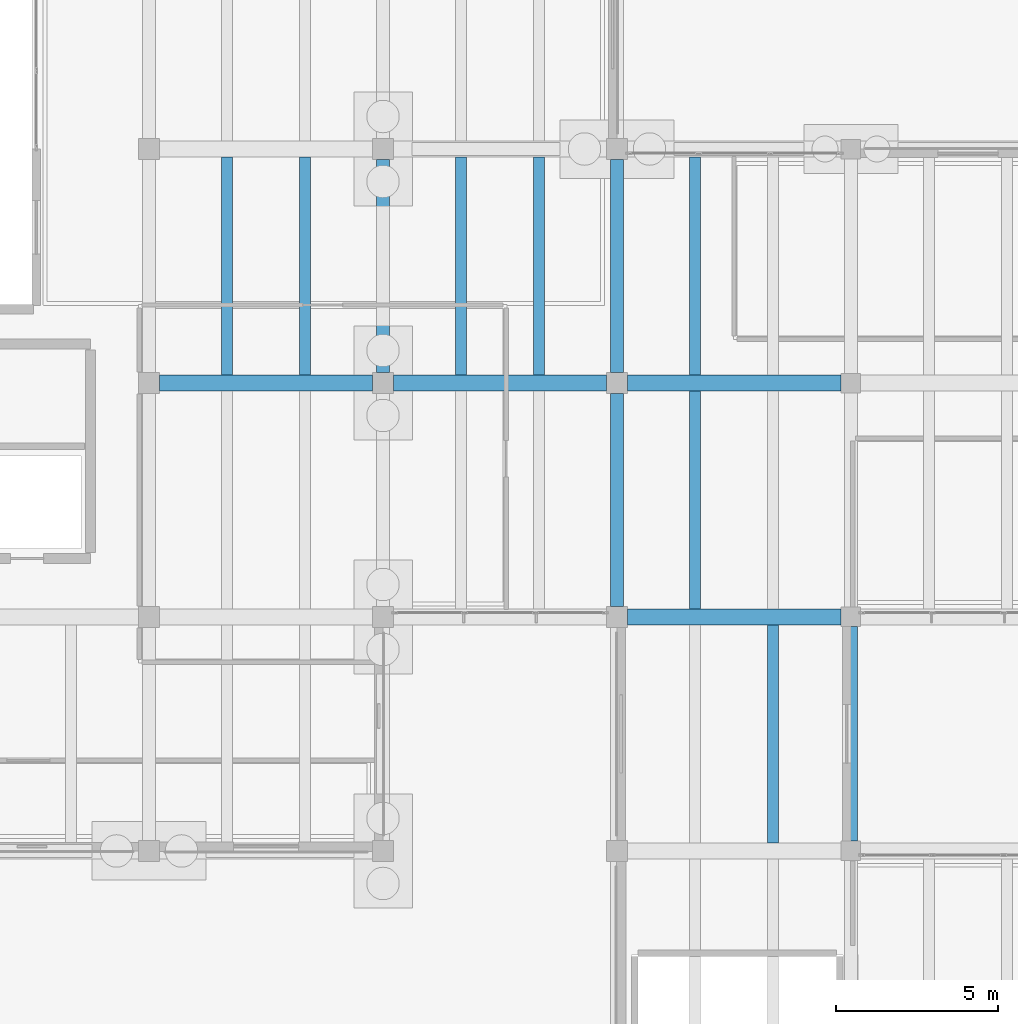
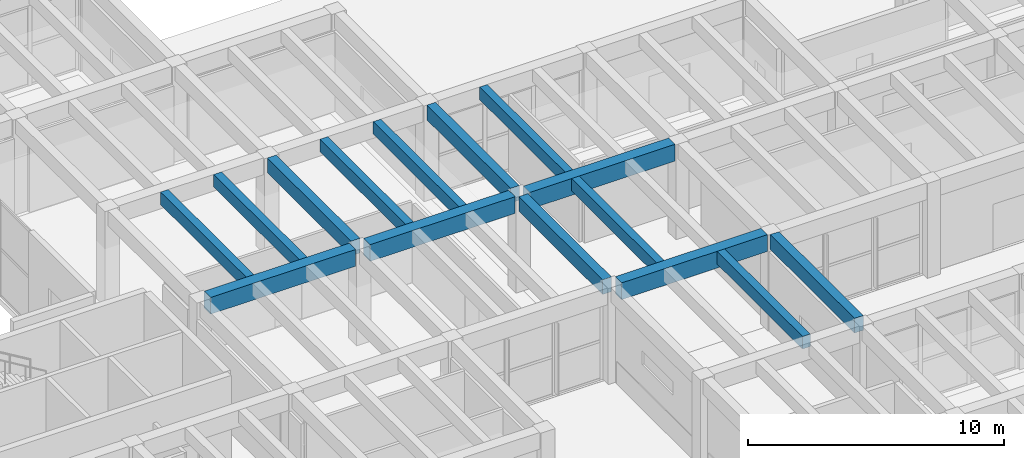
# One storey, part 69 of 155: 15 beams.
"""IFC4 building model written with IfcOpenShell, lengths in metres."""

from ifc_helpers import new_model, si_unit, direction, frame, origin, origin_2d, place, context, subcontext, project, spatial, rectangle, extrude, material, material_profile, profile_set, type_object, element, save


model = new_model("IFC4")

# Units and contexts
model_context = context("Model", 3, precision=1e-05, world=origin(), true_north=direction((0.0, 1.0)))
body_context = subcontext(model_context, "Body", "Model", "MODEL_VIEW")
ifc_project = project(units=[si_unit("LENGTHUNIT", "METRE"), si_unit("AREAUNIT", "SQUARE_METRE"), si_unit("VOLUMEUNIT", "CUBIC_METRE"), si_unit("PLANEANGLEUNIT", "RADIAN"), si_unit("MASSUNIT", "GRAM", prefix="KILO")], contexts=[model_context])

# Site, building, storey
site_placement = place(None, origin())
site = spatial("IfcSite", under=ifc_project, at=site_placement, CompositionType="ELEMENT")
building_placement = place(site_placement, origin())
building = spatial("IfcBuilding", under=site, at=building_placement, Name="Bramvelor Terrace Health Centre", CompositionType="ELEMENT")
storey_placement = place(building_placement, origin())
storey = spatial("IfcBuildingStorey", under=building, at=storey_placement, Name="L01", CompositionType="ELEMENT", Elevation=0.0)

# Beams
ifc_material_1 = material(Name="Concrete C40/50", Category="concrete")
ifc_material_profile_1 = material_profile(ifc_material_1, rectangle(XDim=0.39990234375, YDim=0.699951171875, at=origin_2d()), Name="RC 400x700")
ifc_profile_set_1 = profile_set([ifc_material_profile_1], Name="Concrete C40/50")
beam_type_1 = type_object("IfcBeamType", Name="BM-RC-G700", PredefinedType="BEAM", material=ifc_profile_set_1)
beam_1_placement = place(storey_placement, frame((36.0, 93.925048828125, 4.2099609375), z_axis=(0.0, 1.0, 0.0), x_axis=(-1.0, 0.0, 0.0)))
element("IfcBeam", 1, at=beam_1_placement, inside=storey, type_object=beam_type_1, Name="L01 Floor Girder", PredefinedType="BEAM", context=body_context, shape_type="SweptSolid", body=[
    extrude(rectangle(XDim=0.39990234375, YDim=0.699951171875, at=origin_2d()), origin(), (0.0, 0.0, 1.0), 6.550048828125),
])
beam_2_placement = place(storey_placement, frame((43.199951171875, 86.72509765625, 4.2099609375), z_axis=(0.0, 1.0, 0.0), x_axis=(-1.0, 0.0, 0.0)))
element("IfcBeam", 2, at=beam_2_placement, inside=storey, type_object=beam_type_1, Name="L01 Floor Girder", PredefinedType="BEAM", context=body_context, shape_type="SweptSolid", body=[
    extrude(rectangle(XDim=0.39990234375, YDim=0.699951171875, at=origin_2d()), origin(), (0.0, 0.0, 1.0), 6.5498046875),
])
beam_3_placement = place(storey_placement, frame((43.199951171875, 93.925048828125, 4.2099609375), z_axis=(0.0, 1.0, 0.0), x_axis=(-1.0, 0.0, 0.0)))
element("IfcBeam", 3, at=beam_3_placement, inside=storey, type_object=beam_type_1, Name="L01 Floor Girder", PredefinedType="BEAM", context=body_context, shape_type="SweptSolid", body=[
    extrude(rectangle(XDim=0.39990234375, YDim=0.699951171875, at=origin_2d()), origin(), (0.0, 0.0, 1.0), 6.550048828125),
])
beam_4_placement = place(storey_placement, frame((50.39990234375, 79.5, 4.22998046875), z_axis=(0.0, 1.0, 0.0), x_axis=(-1.0, 0.0, 0.0)))
element("IfcBeam", 4, at=beam_4_placement, inside=storey, type_object=beam_type_1, Name="L01 Floor Girder", PredefinedType="BEAM", context=body_context, shape_type="SweptSolid", body=[
    extrude(rectangle(XDim=0.39990234375, YDim=0.699951171875, at=origin_2d()), origin(), (0.0, 0.0, 1.0), 6.60009765625),
])
ifc_material_2 = material(Name="Concrete C40/50", Category="concrete")
ifc_material_profile_2 = material_profile(ifc_material_2, rectangle(XDim=0.5, YDim=0.800048828125, at=origin_2d()), Name="RC 500x800")
ifc_profile_set_2 = profile_set([ifc_material_profile_2], Name="Concrete C40/50")
beam_type_2 = type_object("IfcBeamType", Name="BM-RC-G800", PredefinedType="BEAM", material=ifc_profile_set_2)
for number, where, z_axis, x_axis, name in (
    (5, (29.125, 93.60009765625, 4.159912109375), (1.0, 0.0, 0.0), (0.0, 1.0, 0.0), "L01 Floor Girder"),
    (6, (36.324951171875, 93.60009765625, 4.159912109375), (1.0, 0.0, 0.0), (0.0, 1.0, 0.0), "L01 Floor Girder"),
):
    element("IfcBeam", number, at=place(storey_placement, frame(where, z_axis=z_axis, x_axis=x_axis)), inside=storey, type_object=beam_type_2, Name=name, PredefinedType="BEAM", context=body_context, shape_type="SweptSolid", body=[
        extrude(rectangle(XDim=0.5, YDim=0.800048828125, at=origin_2d()), origin(), (0.0, 0.0, 1.0), 6.550048828125),
    ])
for number, where, z_axis, x_axis, name in (
    (7, (43.52490234375, 86.39990234375, 4.179931640625), (1.0, 0.0, 0.0), (0.0, 1.0, 0.0), "L01 Floor Girder"),
    (8, (43.52490234375, 93.60009765625, 4.1298828125), (1.0, 0.0, 0.0), (0.0, 1.0, 0.0), "L01 Floor Girder"),
):
    element("IfcBeam", number, at=place(storey_placement, frame(where, z_axis=z_axis, x_axis=x_axis)), inside=storey, type_object=beam_type_2, Name=name, PredefinedType="BEAM", context=body_context, shape_type="SweptSolid", body=[
        extrude(rectangle(XDim=0.5, YDim=0.800048828125, at=origin_2d()), origin(), (0.0, 0.0, 1.0), 6.5751953125),
    ])
ifc_material_3 = material(Name="Concrete C40/50", Category="concrete")
ifc_material_profile_3 = material_profile(ifc_material_3, rectangle(XDim=0.35009765625, YDim=0.60009765625, at=origin_2d()), Name="RC 350x600")
ifc_profile_set_3 = profile_set([ifc_material_profile_3], Name="Concrete C40/50")
beam_type_3 = type_object("IfcBeamType", Name="BM-RC-J600", PredefinedType="JOIST", material=ifc_profile_set_3)
for number, where, z_axis, x_axis, name in (
    (9, (31.199951171875, 93.85009765625, 4.260009765625), (0.0, 1.0, 0.0), (-1.0, 0.0, 0.0), "L01 Secondary Floor Joist"),
    (10, (33.60009765625, 93.85009765625, 4.260009765625), (0.0, 1.0, 0.0), (-1.0, 0.0, 0.0), "L01 Secondary Floor Joist"),
    (11, (38.39990234375, 93.85009765625, 4.260009765625), (0.0, 1.0, 0.0), (-1.0, 0.0, 0.0), "L01 Secondary Floor Joist"),
    (12, (40.800048828125, 93.85009765625, 4.260009765625), (0.0, 1.0, 0.0), (-1.0, 0.0, 0.0), "L01 Secondary Floor Joist"),
    (13, (48.0, 79.449951171875, 4.280029296875), (0.0, 1.0, 0.0), (-1.0, 0.0, 0.0), "L01 Secondary Floor Joist"),
):
    element("IfcBeam", number, at=place(storey_placement, frame(where, z_axis=z_axis, x_axis=x_axis)), inside=storey, type_object=beam_type_3, Name=name, PredefinedType="JOIST", context=body_context, shape_type="SweptSolid", body=[
        extrude(rectangle(XDim=0.35009765625, YDim=0.60009765625, at=origin_2d()), origin(), (0.0, 0.0, 1.0), 6.699951171875),
    ])
beam_5_placement = place(storey_placement, frame((45.60009765625, 86.64990234375, 4.22998046875), z_axis=(0.0, 1.0, 0.0), x_axis=(-1.0, 0.0, 0.0)))
element("IfcBeam", 14, at=beam_5_placement, inside=storey, type_object=beam_type_3, Name="L01 Secondary Floor Joist", PredefinedType="JOIST", context=body_context, shape_type="SweptSolid", body=[
    extrude(rectangle(XDim=0.35009765625, YDim=0.60009765625, at=origin_2d()), origin(), (0.0, 0.0, 1.0), 6.7001953125),
])
beam_6_placement = place(storey_placement, frame((45.60009765625, 93.85009765625, 4.22998046875), z_axis=(0.0, 1.0, 0.0), x_axis=(-1.0, 0.0, 0.0)))
element("IfcBeam", 15, at=beam_6_placement, inside=storey, type_object=beam_type_3, Name="L01 Secondary Floor Joist", PredefinedType="JOIST", context=body_context, shape_type="SweptSolid", body=[
    extrude(rectangle(XDim=0.35009765625, YDim=0.60009765625, at=origin_2d()), origin(), (0.0, 0.0, 1.0), 6.699951171875),
])

save(model, "model.ifc")
